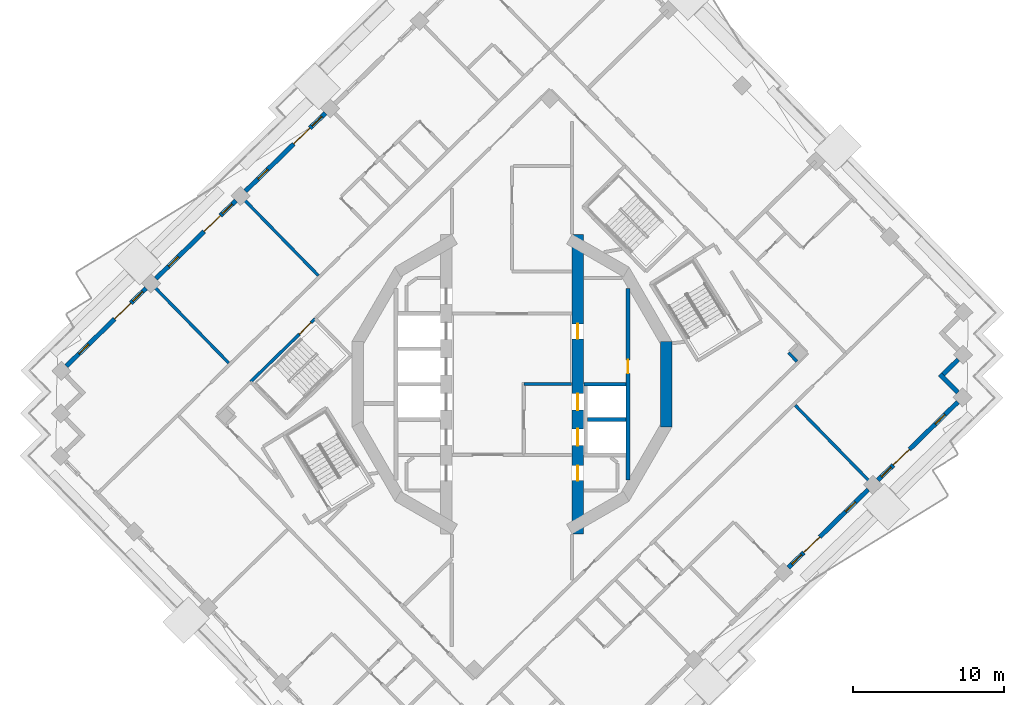
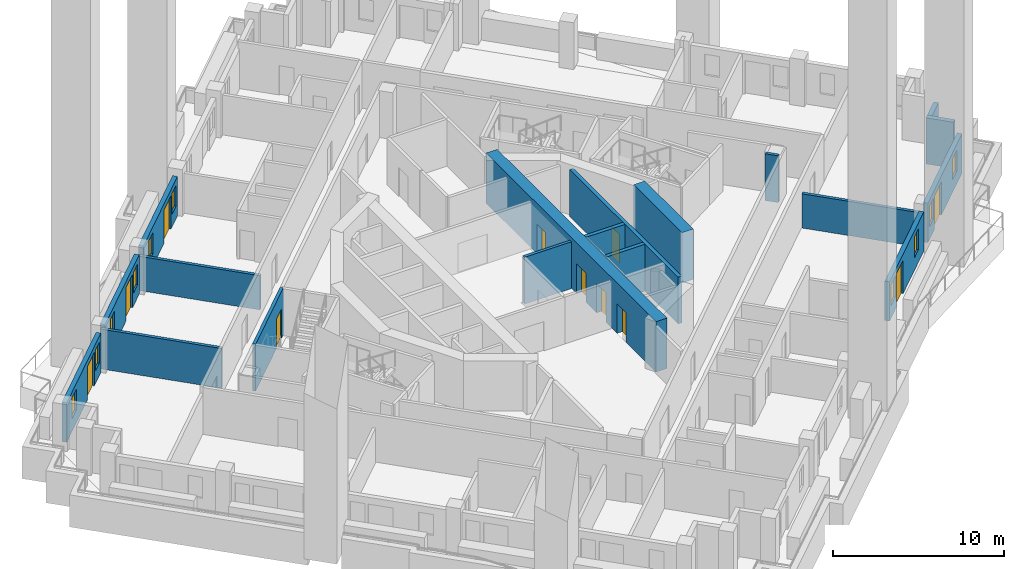
# One storey, part 6 of 17: 18 walls, 11 doors, 10 windows, 21 openings.
"""IFC4 building model written with IfcOpenShell, lengths in metres."""

from ifc_helpers import new_model, si_unit, direction, frame, frame_2d, origin, place, context, subcontext, project, spatial, rectangle, extrude, material, layer, layer_set, type_object, element, fill, save


model = new_model("IFC4")

# Units and contexts
model_context = context("Model", 3, precision=1e-05, world=origin(), true_north=direction((0.0, 1.0)))
body_context = subcontext(model_context, "Body", "Model", "MODEL_VIEW")
ifc_project = project(units=[si_unit("LENGTHUNIT", "METRE"), si_unit("AREAUNIT", "SQUARE_METRE"), si_unit("VOLUMEUNIT", "CUBIC_METRE"), si_unit("PLANEANGLEUNIT", "RADIAN"), si_unit("MASSUNIT", "GRAM", prefix="KILO")], contexts=[model_context])

# Site, building, storey
site_placement = place(None, origin())
site = spatial("IfcSite", under=ifc_project, at=site_placement, CompositionType="ELEMENT")
building_placement = place(site_placement, origin())
building = spatial("IfcBuilding", under=site, at=building_placement, Name="Cantera Rosa Tower", CompositionType="ELEMENT")
storey_placement = place(building_placement, frame((0.0, 0.0, 205.39990234375)))
storey = spatial("IfcBuildingStorey", under=building, at=storey_placement, Name="L43", CompositionType="ELEMENT", Elevation=205.39990234375)

# Walls
ifc_material_1 = material(Name="Hollow clay masonry with cantera stone cladding", Category="masonry")
ifc_layer_1 = layer(ifc_material_1, 0.300048828125)
ifc_layer_set_1 = layer_set([ifc_layer_1], Name="EW-LOGGIA 300")
wall_type_1 = type_object("IfcWallType", Name="EW-LOGGIA 300", PredefinedType="SOLIDWALL", material=ifc_layer_set_1)
wall_1_placement = place(storey_placement, frame((29.623291015625, -0.556884765625, 0.0), z_axis=(0.0, 0.0, 1.0), x_axis=(-0.69880105094, 0.715316077832, 0.0)))
element("IfcWall", 1, at=wall_1_placement, inside=storey, type_object=wall_type_1, Name="EN-L43-W26a", PredefinedType="SOLIDWALL", context=body_context, shape_type="SweptSolid", body=[
    extrude(rectangle(XDim=1.699951171875, YDim=0.300048828125, at=frame_2d((0.85009765625, 0.0))), origin(), (0.0, 0.0, 1.0), 3.300048828125),
])
wall_2_placement = place(storey_placement, frame((28.6474609375, 0.65673828125, 0.0), z_axis=(0.0, 0.0, 1.0), x_axis=(0.715341715727, 0.698774806172, 0.0)))
element("IfcWall", 2, at=wall_2_placement, inside=storey, type_object=wall_type_1, Name="EN-L43-W26b", PredefinedType="SOLIDWALL", context=body_context, shape_type="SweptSolid", body=[
    extrude(rectangle(XDim=1.39990234375, YDim=0.300048828125, at=frame_2d((0.699951171875, 0.0))), origin(), (0.0, 0.0, 1.0), 3.300048828125),
])

# Wall, openings, windows, door
ifc_material_2 = material(Name="Hollow clay masonry with cantera stone cladding", Category="masonry")
ifc_layer_2 = layer(ifc_material_2, 0.300048828125)
ifc_layer_set_2 = layer_set([ifc_layer_2], Name="EW-LOGGIA 300 H2820")
wall_type_2 = type_object("IfcWallType", Name="EW-LOGGIA 300 H2820", PredefinedType="SOLIDWALL", material=ifc_layer_set_2)
wall_3_placement = place(storey_placement, frame((-12.406005859375, 18.007080078125, 0.0), z_axis=(0.0, 0.0, 1.0), x_axis=(-0.715300826176, -0.698816662703, 0.0)))
wall_3 = element("IfcWall", 3, at=wall_3_placement, inside=storey, type_object=wall_type_2, Name="EN-L43-W09", PredefinedType="SOLIDWALL", context=body_context, shape_type="SweptSolid", body=[
    extrude(rectangle(XDim=7.420166015625, YDim=0.300048828125, at=frame_2d((3.7099609375, 0.0))), origin(), (0.0, 0.0, 1.0), 2.820068359375),
])
opening_1_placement = place(wall_3_placement, frame((0.330078125, 0.0, 0.89990234375)))
opening_1 = element("IfcOpeningElement", 4, at=opening_1_placement, cuts=wall_3, Name="Opening L43-W13", PredefinedType="OPENING", context=body_context, shape_type="SweptSolid", body=[
    extrude(rectangle(XDim=0.89990234375, YDim=1.5, at=frame_2d((0.449951171875, 0.75))), frame((0.0, 0.159912109375, 0.0), z_axis=(0.0, -1.0, 0.0), x_axis=(1.0, 0.0, 0.0)), (0.0, 0.0, 1.0), 0.320068359375),
])
opening_2_placement = place(wall_3_placement, frame((1.429931640625, 0.0, 0.0)))
opening_2 = element("IfcOpeningElement", 5, at=opening_2_placement, cuts=wall_3, Name="Opening L43-TD14", PredefinedType="OPENING", context=body_context, shape_type="SweptSolid", body=[
    extrude(rectangle(XDim=1.5, YDim=2.39990234375, at=frame_2d((0.75, 1.199951171875))), frame((0.0, 0.159912109375, 0.0), z_axis=(0.0, -1.0, 0.0), x_axis=(1.0, 0.0, 0.0)), (0.0, 0.0, 1.0), 0.320068359375),
])
opening_3_placement = place(wall_3_placement, frame((5.340087890625, 0.0, 0.89990234375)))
opening_3 = element("IfcOpeningElement", 6, at=opening_3_placement, cuts=wall_3, Name="Opening L43-W15", PredefinedType="OPENING", context=body_context, shape_type="SweptSolid", body=[
    extrude(rectangle(XDim=0.89990234375, YDim=1.5, at=frame_2d((0.449951171875, 0.75))), frame((0.0, 0.159912109375, 0.0), z_axis=(0.0, -1.0, 0.0), x_axis=(1.0, 0.0, 0.0)), (0.0, 0.0, 1.0), 0.320068359375),
])
ifc_material_3 = material(Name="Aluminium frame with clear glass", Category="aluminium")
window_type = type_object("IfcWindowType", Name="Residential window 900x1500", PartitioningType="SINGLE_PANEL", PredefinedType="WINDOW", material=ifc_material_3)
window_1_placement = place(opening_1_placement, origin())
window_1 = element("IfcWindow", 7, at=window_1_placement, inside=storey, type_object=window_type, Name="WINDOW L43-W13", OverallHeight=1.5, OverallWidth=0.89990234375, PartitioningType="SINGLE_PANEL", PredefinedType="WINDOW", context=body_context, shape_type="SweptSolid", body=[
    extrude(rectangle(XDim=0.89990234375, YDim=1.5, at=frame_2d((0.449951171875, 0.75))), frame((0.0, 0.030029296875, 0.0), z_axis=(0.0, -1.0, 0.0), x_axis=(1.0, 0.0, 0.0)), (0.0, 0.0, 1.0), 0.06005859375),
])
fill(opening_1, window_1)
window_2_placement = place(opening_3_placement, origin())
window_2 = element("IfcWindow", 8, at=window_2_placement, inside=storey, type_object=window_type, Name="WINDOW L43-W15", OverallHeight=1.5, OverallWidth=0.89990234375, PartitioningType="SINGLE_PANEL", PredefinedType="WINDOW", context=body_context, shape_type="SweptSolid", body=[
    extrude(rectangle(XDim=0.89990234375, YDim=1.5, at=frame_2d((0.449951171875, 0.75))), frame((0.0, 0.030029296875, 0.0), z_axis=(0.0, -1.0, 0.0), x_axis=(1.0, 0.0, 0.0)), (0.0, 0.0, 1.0), 0.06005859375),
])
fill(opening_3, window_2)
ifc_material_4 = material(Name="Aluminium frame with clear glass", Category="aluminium")
door_type_1 = type_object("IfcDoorType", Name="TD-R 1500x2400", OperationType="NOTDEFINED", PredefinedType="DOOR", material=ifc_material_4)
door_1_placement = place(opening_2_placement, origin())
door_1 = element("IfcDoor", 9, at=door_1_placement, inside=storey, type_object=door_type_1, Name="LOGGIA DOOR L43-TD14", OperationType="SLIDING_TO_LEFT", OverallHeight=2.39990234375, OverallWidth=1.5, PredefinedType="DOOR", context=body_context, shape_type="SweptSolid", body=[
    extrude(rectangle(XDim=1.5, YDim=2.39990234375, at=frame_2d((0.75, 1.199951171875))), frame((0.0, 0.02490234375, 0.0), z_axis=(0.0, -1.0, 0.0), x_axis=(1.0, 0.0, 0.0)), (0.0, 0.0, 1.0), 0.050048828125),
])
fill(opening_2, door_1)

wall_4_placement = place(storey_placement, frame((-18.357177734375, 12.19287109375, 0.0), z_axis=(0.0, 0.0, 1.0), x_axis=(-0.715300826176, -0.698816662703, 0.0)))
wall_4 = element("IfcWall", 10, at=wall_4_placement, inside=storey, type_object=wall_type_2, Name="EN-L43-W10", PredefinedType="SOLIDWALL", context=body_context, shape_type="SweptSolid", body=[
    extrude(rectangle(XDim=7.420166015625, YDim=0.300048828125, at=frame_2d((3.7099609375, 0.0))), origin(), (0.0, 0.0, 1.0), 2.820068359375),
])
opening_4_placement = place(wall_4_placement, frame((0.330078125, 0.0, 0.89990234375)))
opening_4 = element("IfcOpeningElement", 11, at=opening_4_placement, cuts=wall_4, Name="Opening L43-W16", PredefinedType="OPENING", context=body_context, shape_type="SweptSolid", body=[
    extrude(rectangle(XDim=0.89990234375, YDim=1.5, at=frame_2d((0.449951171875, 0.75))), frame((0.0, 0.159912109375, 0.0), z_axis=(0.0, -1.0, 0.0), x_axis=(1.0, 0.0, 0.0)), (0.0, 0.0, 1.0), 0.320068359375),
])
opening_5_placement = place(wall_4_placement, frame((1.429931640625, 0.0, 0.0)))
opening_5 = element("IfcOpeningElement", 12, at=opening_5_placement, cuts=wall_4, Name="Opening L43-TD17", PredefinedType="OPENING", context=body_context, shape_type="SweptSolid", body=[
    extrude(rectangle(XDim=1.5, YDim=2.39990234375, at=frame_2d((0.75, 1.199951171875))), frame((0.0, 0.159912109375, 0.0), z_axis=(0.0, -1.0, 0.0), x_axis=(1.0, 0.0, 0.0)), (0.0, 0.0, 1.0), 0.320068359375),
])
opening_6_placement = place(wall_4_placement, frame((5.340087890625, 0.0, 0.89990234375)))
opening_6 = element("IfcOpeningElement", 13, at=opening_6_placement, cuts=wall_4, Name="Opening L43-W18", PredefinedType="OPENING", context=body_context, shape_type="SweptSolid", body=[
    extrude(rectangle(XDim=0.89990234375, YDim=1.5, at=frame_2d((0.449951171875, 0.75))), frame((0.0, 0.159912109375, 0.0), z_axis=(0.0, -1.0, 0.0), x_axis=(1.0, 0.0, 0.0)), (0.0, 0.0, 1.0), 0.320068359375),
])
window_3_placement = place(opening_4_placement, origin())
window_3 = element("IfcWindow", 14, at=window_3_placement, inside=storey, type_object=window_type, Name="WINDOW L43-W16", OverallHeight=1.5, OverallWidth=0.89990234375, PartitioningType="SINGLE_PANEL", PredefinedType="WINDOW", context=body_context, shape_type="SweptSolid", body=[
    extrude(rectangle(XDim=0.89990234375, YDim=1.5, at=frame_2d((0.449951171875, 0.75))), frame((0.0, 0.030029296875, 0.0), z_axis=(0.0, -1.0, 0.0), x_axis=(1.0, 0.0, 0.0)), (0.0, 0.0, 1.0), 0.06005859375),
])
fill(opening_4, window_3)
window_4_placement = place(opening_6_placement, origin())
window_4 = element("IfcWindow", 15, at=window_4_placement, inside=storey, type_object=window_type, Name="WINDOW L43-W18", OverallHeight=1.5, OverallWidth=0.89990234375, PartitioningType="SINGLE_PANEL", PredefinedType="WINDOW", context=body_context, shape_type="SweptSolid", body=[
    extrude(rectangle(XDim=0.89990234375, YDim=1.5, at=frame_2d((0.449951171875, 0.75))), frame((0.0, 0.030029296875, 0.0), z_axis=(0.0, -1.0, 0.0), x_axis=(1.0, 0.0, 0.0)), (0.0, 0.0, 1.0), 0.06005859375),
])
fill(opening_6, window_4)
door_2_placement = place(opening_5_placement, origin())
door_2 = element("IfcDoor", 16, at=door_2_placement, inside=storey, type_object=door_type_1, Name="LOGGIA DOOR L43-TD17", OperationType="SLIDING_TO_LEFT", OverallHeight=2.39990234375, OverallWidth=1.5, PredefinedType="DOOR", context=body_context, shape_type="SweptSolid", body=[
    extrude(rectangle(XDim=1.5, YDim=2.39990234375, at=frame_2d((0.75, 1.199951171875))), frame((0.0, 0.02490234375, 0.0), z_axis=(0.0, -1.0, 0.0), x_axis=(1.0, 0.0, 0.0)), (0.0, 0.0, 1.0), 0.050048828125),
])
fill(opening_5, door_2)

wall_5_placement = place(storey_placement, frame((-24.308349609375, 6.37841796875, 0.0), z_axis=(0.0, 0.0, 1.0), x_axis=(-0.715300826176, -0.698816662703, 0.0)))
wall_5 = element("IfcWall", 17, at=wall_5_placement, inside=storey, type_object=wall_type_2, Name="EN-L43-W11", PredefinedType="SOLIDWALL", context=body_context, shape_type="SweptSolid", body=[
    extrude(rectangle(XDim=7.420166015625, YDim=0.300048828125, at=frame_2d((3.7099609375, 0.0))), origin(), (0.0, 0.0, 1.0), 2.820068359375),
])
opening_7_placement = place(wall_5_placement, frame((0.330078125, 0.0, 0.89990234375)))
opening_7 = element("IfcOpeningElement", 18, at=opening_7_placement, cuts=wall_5, Name="Opening L43-W19", PredefinedType="OPENING", context=body_context, shape_type="SweptSolid", body=[
    extrude(rectangle(XDim=0.89990234375, YDim=1.5, at=frame_2d((0.449951171875, 0.75))), frame((0.0, 0.159912109375, 0.0), z_axis=(0.0, -1.0, 0.0), x_axis=(1.0, 0.0, 0.0)), (0.0, 0.0, 1.0), 0.320068359375),
])
opening_8_placement = place(wall_5_placement, frame((1.429931640625, 0.0, 0.0)))
opening_8 = element("IfcOpeningElement", 19, at=opening_8_placement, cuts=wall_5, Name="Opening L43-TD20", PredefinedType="OPENING", context=body_context, shape_type="SweptSolid", body=[
    extrude(rectangle(XDim=1.5, YDim=2.39990234375, at=frame_2d((0.75, 1.199951171875))), frame((0.0, 0.159912109375, 0.0), z_axis=(0.0, -1.0, 0.0), x_axis=(1.0, 0.0, 0.0)), (0.0, 0.0, 1.0), 0.320068359375),
])
opening_9_placement = place(wall_5_placement, frame((5.340087890625, 0.0, 0.89990234375)))
opening_9 = element("IfcOpeningElement", 20, at=opening_9_placement, cuts=wall_5, Name="Opening L43-W21", PredefinedType="OPENING", context=body_context, shape_type="SweptSolid", body=[
    extrude(rectangle(XDim=0.89990234375, YDim=1.5, at=frame_2d((0.449951171875, 0.75))), frame((0.0, 0.159912109375, 0.0), z_axis=(0.0, -1.0, 0.0), x_axis=(1.0, 0.0, 0.0)), (0.0, 0.0, 1.0), 0.320068359375),
])
window_5_placement = place(opening_7_placement, origin())
window_5 = element("IfcWindow", 21, at=window_5_placement, inside=storey, type_object=window_type, Name="WINDOW L43-W19", OverallHeight=1.5, OverallWidth=0.89990234375, PartitioningType="SINGLE_PANEL", PredefinedType="WINDOW", context=body_context, shape_type="SweptSolid", body=[
    extrude(rectangle(XDim=0.89990234375, YDim=1.5, at=frame_2d((0.449951171875, 0.75))), frame((0.0, 0.030029296875, 0.0), z_axis=(0.0, -1.0, 0.0), x_axis=(1.0, 0.0, 0.0)), (0.0, 0.0, 1.0), 0.06005859375),
])
fill(opening_7, window_5)
window_6_placement = place(opening_9_placement, origin())
window_6 = element("IfcWindow", 22, at=window_6_placement, inside=storey, type_object=window_type, Name="WINDOW L43-W21", OverallHeight=1.5, OverallWidth=0.89990234375, PartitioningType="SINGLE_PANEL", PredefinedType="WINDOW", context=body_context, shape_type="SweptSolid", body=[
    extrude(rectangle(XDim=0.89990234375, YDim=1.5, at=frame_2d((0.449951171875, 0.75))), frame((0.0, 0.030029296875, 0.0), z_axis=(0.0, -1.0, 0.0), x_axis=(1.0, 0.0, 0.0)), (0.0, 0.0, 1.0), 0.06005859375),
])
fill(opening_9, window_6)
door_3_placement = place(opening_8_placement, origin())
door_3 = element("IfcDoor", 23, at=door_3_placement, inside=storey, type_object=door_type_1, Name="LOGGIA DOOR L43-TD20", OperationType="SLIDING_TO_LEFT", OverallHeight=2.39990234375, OverallWidth=1.5, PredefinedType="DOOR", context=body_context, shape_type="SweptSolid", body=[
    extrude(rectangle(XDim=1.5, YDim=2.39990234375, at=frame_2d((0.75, 1.199951171875))), frame((0.0, 0.02490234375, 0.0), z_axis=(0.0, -1.0, 0.0), x_axis=(1.0, 0.0, 0.0)), (0.0, 0.0, 1.0), 0.050048828125),
])
fill(opening_8, door_3)

wall_6_placement = place(storey_placement, frame((18.357177734375, -12.19287109375, 0.0), z_axis=(0.0, 0.0, 1.0), x_axis=(0.715300826176, 0.698816662703, 0.0)))
wall_6 = element("IfcWall", 24, at=wall_6_placement, inside=storey, type_object=wall_type_2, Name="EN-L43-W24", PredefinedType="SOLIDWALL", context=body_context, shape_type="SweptSolid", body=[
    extrude(rectangle(XDim=7.420166015625, YDim=0.300048828125, at=frame_2d((3.7099609375, 0.0))), origin(), (0.0, 0.0, 1.0), 2.820068359375),
])
opening_10_placement = place(wall_6_placement, frame((0.330078125, 0.0, 0.89990234375)))
opening_10 = element("IfcOpeningElement", 25, at=opening_10_placement, cuts=wall_6, Name="Opening L43-W46", PredefinedType="OPENING", context=body_context, shape_type="SweptSolid", body=[
    extrude(rectangle(XDim=0.89990234375, YDim=1.5, at=frame_2d((0.449951171875, 0.75))), frame((0.0, 0.159912109375, 0.0), z_axis=(0.0, -1.0, 0.0), x_axis=(1.0, 0.0, 0.0)), (0.0, 0.0, 1.0), 0.320068359375),
])
opening_11_placement = place(wall_6_placement, frame((1.429931640625, 0.0, 0.0)))
opening_11 = element("IfcOpeningElement", 26, at=opening_11_placement, cuts=wall_6, Name="Opening L43-TD47", PredefinedType="OPENING", context=body_context, shape_type="SweptSolid", body=[
    extrude(rectangle(XDim=1.5, YDim=2.39990234375, at=frame_2d((0.75, 1.199951171875))), frame((0.0, 0.159912109375, 0.0), z_axis=(0.0, -1.0, 0.0), x_axis=(1.0, 0.0, 0.0)), (0.0, 0.0, 1.0), 0.320068359375),
])
opening_12_placement = place(wall_6_placement, frame((5.340087890625, 0.0, 0.89990234375)))
opening_12 = element("IfcOpeningElement", 27, at=opening_12_placement, cuts=wall_6, Name="Opening L43-W48", PredefinedType="OPENING", context=body_context, shape_type="SweptSolid", body=[
    extrude(rectangle(XDim=0.89990234375, YDim=1.5, at=frame_2d((0.449951171875, 0.75))), frame((0.0, 0.159912109375, 0.0), z_axis=(0.0, -1.0, 0.0), x_axis=(1.0, 0.0, 0.0)), (0.0, 0.0, 1.0), 0.320068359375),
])
window_7_placement = place(opening_10_placement, origin())
window_7 = element("IfcWindow", 28, at=window_7_placement, inside=storey, type_object=window_type, Name="WINDOW L43-W46", OverallHeight=1.5, OverallWidth=0.89990234375, PartitioningType="SINGLE_PANEL", PredefinedType="WINDOW", context=body_context, shape_type="SweptSolid", body=[
    extrude(rectangle(XDim=0.89990234375, YDim=1.5, at=frame_2d((0.449951171875, 0.75))), frame((0.0, 0.030029296875, 0.0), z_axis=(0.0, -1.0, 0.0), x_axis=(1.0, 0.0, 0.0)), (0.0, 0.0, 1.0), 0.06005859375),
])
fill(opening_10, window_7)
window_8_placement = place(opening_12_placement, origin())
window_8 = element("IfcWindow", 29, at=window_8_placement, inside=storey, type_object=window_type, Name="WINDOW L43-W48", OverallHeight=1.5, OverallWidth=0.89990234375, PartitioningType="SINGLE_PANEL", PredefinedType="WINDOW", context=body_context, shape_type="SweptSolid", body=[
    extrude(rectangle(XDim=0.89990234375, YDim=1.5, at=frame_2d((0.449951171875, 0.75))), frame((0.0, 0.030029296875, 0.0), z_axis=(0.0, -1.0, 0.0), x_axis=(1.0, 0.0, 0.0)), (0.0, 0.0, 1.0), 0.06005859375),
])
fill(opening_12, window_8)
door_4_placement = place(opening_11_placement, origin())
door_4 = element("IfcDoor", 30, at=door_4_placement, inside=storey, type_object=door_type_1, Name="LOGGIA DOOR L43-TD47", OperationType="SLIDING_TO_LEFT", OverallHeight=2.39990234375, OverallWidth=1.5, PredefinedType="DOOR", context=body_context, shape_type="SweptSolid", body=[
    extrude(rectangle(XDim=1.5, YDim=2.39990234375, at=frame_2d((0.75, 1.199951171875))), frame((0.0, 0.02490234375, 0.0), z_axis=(0.0, -1.0, 0.0), x_axis=(1.0, 0.0, 0.0)), (0.0, 0.0, 1.0), 0.050048828125),
])
fill(opening_11, door_4)

wall_7_placement = place(storey_placement, frame((24.308349609375, -6.37841796875, 0.0), z_axis=(0.0, 0.0, 1.0), x_axis=(0.715300826176, 0.698816662703, 0.0)))
wall_7 = element("IfcWall", 31, at=wall_7_placement, inside=storey, type_object=wall_type_2, Name="EN-L43-W25", PredefinedType="SOLIDWALL", context=body_context, shape_type="SweptSolid", body=[
    extrude(rectangle(XDim=7.420166015625, YDim=0.300048828125, at=frame_2d((3.7099609375, 0.0))), origin(), (0.0, 0.0, 1.0), 2.820068359375),
])
opening_13_placement = place(wall_7_placement, frame((0.330078125, 0.0, 0.89990234375)))
opening_13 = element("IfcOpeningElement", 32, at=opening_13_placement, cuts=wall_7, Name="Opening L43-W49", PredefinedType="OPENING", context=body_context, shape_type="SweptSolid", body=[
    extrude(rectangle(XDim=0.89990234375, YDim=1.5, at=frame_2d((0.449951171875, 0.75))), frame((0.0, 0.159912109375, 0.0), z_axis=(0.0, -1.0, 0.0), x_axis=(1.0, 0.0, 0.0)), (0.0, 0.0, 1.0), 0.320068359375),
])
opening_14_placement = place(wall_7_placement, frame((1.429931640625, 0.0, 0.0)))
opening_14 = element("IfcOpeningElement", 33, at=opening_14_placement, cuts=wall_7, Name="Opening L43-TD50", PredefinedType="OPENING", context=body_context, shape_type="SweptSolid", body=[
    extrude(rectangle(XDim=1.5, YDim=2.39990234375, at=frame_2d((0.75, 1.199951171875))), frame((0.0, 0.159912109375, 0.0), z_axis=(0.0, -1.0, 0.0), x_axis=(1.0, 0.0, 0.0)), (0.0, 0.0, 1.0), 0.320068359375),
])
opening_15_placement = place(wall_7_placement, frame((5.340087890625, 0.0, 0.89990234375)))
opening_15 = element("IfcOpeningElement", 34, at=opening_15_placement, cuts=wall_7, Name="Opening L43-W51", PredefinedType="OPENING", context=body_context, shape_type="SweptSolid", body=[
    extrude(rectangle(XDim=0.89990234375, YDim=1.5, at=frame_2d((0.449951171875, 0.75))), frame((0.0, 0.159912109375, 0.0), z_axis=(0.0, -1.0, 0.0), x_axis=(1.0, 0.0, 0.0)), (0.0, 0.0, 1.0), 0.320068359375),
])
window_9_placement = place(opening_13_placement, origin())
window_9 = element("IfcWindow", 35, at=window_9_placement, inside=storey, type_object=window_type, Name="WINDOW L43-W49", OverallHeight=1.5, OverallWidth=0.89990234375, PartitioningType="SINGLE_PANEL", PredefinedType="WINDOW", context=body_context, shape_type="SweptSolid", body=[
    extrude(rectangle(XDim=0.89990234375, YDim=1.5, at=frame_2d((0.449951171875, 0.75))), frame((0.0, 0.030029296875, 0.0), z_axis=(0.0, -1.0, 0.0), x_axis=(1.0, 0.0, 0.0)), (0.0, 0.0, 1.0), 0.06005859375),
])
fill(opening_13, window_9)
window_10_placement = place(opening_15_placement, origin())
window_10 = element("IfcWindow", 36, at=window_10_placement, inside=storey, type_object=window_type, Name="WINDOW L43-W51", OverallHeight=1.5, OverallWidth=0.89990234375, PartitioningType="SINGLE_PANEL", PredefinedType="WINDOW", context=body_context, shape_type="SweptSolid", body=[
    extrude(rectangle(XDim=0.89990234375, YDim=1.5, at=frame_2d((0.449951171875, 0.75))), frame((0.0, 0.030029296875, 0.0), z_axis=(0.0, -1.0, 0.0), x_axis=(1.0, 0.0, 0.0)), (0.0, 0.0, 1.0), 0.06005859375),
])
fill(opening_15, window_10)
door_5_placement = place(opening_14_placement, origin())
door_5 = element("IfcDoor", 37, at=door_5_placement, inside=storey, type_object=door_type_1, Name="LOGGIA DOOR L43-TD50", OperationType="SLIDING_TO_LEFT", OverallHeight=2.39990234375, OverallWidth=1.5, PredefinedType="DOOR", context=body_context, shape_type="SweptSolid", body=[
    extrude(rectangle(XDim=1.5, YDim=2.39990234375, at=frame_2d((0.75, 1.199951171875))), frame((0.0, 0.02490234375, 0.0), z_axis=(0.0, -1.0, 0.0), x_axis=(1.0, 0.0, 0.0)), (0.0, 0.0, 1.0), 0.050048828125),
])
fill(opening_14, door_5)

# Walls
ifc_material_5 = material(Name="Gypsum board partition")
ifc_layer_3 = layer(ifc_material_5, 0.199951171875)
ifc_layer_set_3 = layer_set([ifc_layer_3], Name="PARTITION 200 H2850")
wall_type_3 = type_object("IfcWallType", Name="PARTITION 200 H2850", PredefinedType="PARTITIONING", material=ifc_layer_set_3)
wall_8_placement = place(storey_placement, frame((-18.815185546875, 1.39990234375, 0.0), z_axis=(0.0, 0.0, 1.0), x_axis=(-0.698843600557, 0.715274508116, 0.0)))
element("IfcWall", 38, at=wall_8_placement, inside=storey, type_object=wall_type_3, Name="PARTITION L43-005", PredefinedType="PARTITIONING", context=body_context, shape_type="SweptSolid", body=[
    extrude(rectangle(XDim=7.369873046875, YDim=0.199951171875, at=frame_2d((3.68505859375, 0.0))), origin(), (0.0, 0.0, 1.0), 2.85009765625),
])
ifc_material_6 = material(Name="Gypsum board partition")
ifc_layer_4 = layer(ifc_material_6, 0.199951171875)
ifc_layer_set_4 = layer_set([ifc_layer_4], Name="PARTITION 200 H3350")
wall_type_4 = type_object("IfcWallType", Name="PARTITION 200 H3350", PredefinedType="PARTITIONING", material=ifc_layer_set_4)
wall_9_placement = place(storey_placement, frame((18.375, 2.08447265625, 0.0), z_axis=(0.0, 0.0, 1.0), x_axis=(0.698819420598, -0.715298131827, 0.0)))
element("IfcWall", 39, at=wall_9_placement, inside=storey, type_object=wall_type_4, Name="PARTITION L43-120", PredefinedType="PARTITIONING", context=body_context, shape_type="SweptSolid", body=[
    extrude(rectangle(XDim=0.800048828125, YDim=0.199951171875, at=frame_2d((0.39990234375, 0.0))), origin(), (0.0, 0.0, 1.0), 3.35009765625),
])
ifc_material_7 = material(Name="Gypsum board partition")
ifc_layer_5 = layer(ifc_material_7, 0.199951171875)
ifc_layer_set_5 = layer_set([ifc_layer_5], Name="PARTY WALL 200 H2450")
wall_type_5 = type_object("IfcWallType", Name="PARTY WALL 200 H2450", PredefinedType="PARTITIONING", material=ifc_layer_set_5)
wall_10_placement = place(storey_placement, frame((-12.864013671875, 7.214111328125, 0.0), z_axis=(0.0, 0.0, 1.0), x_axis=(-0.698827041819, 0.715290686101, 0.0)))
element("IfcWall", 40, at=wall_10_placement, inside=storey, type_object=wall_type_5, Name="PARTY WALL L43-021", PredefinedType="PARTITIONING", context=body_context, shape_type="SweptSolid", body=[
    extrude(rectangle(XDim=7.3701171875, YDim=0.199951171875, at=frame_2d((3.68505859375, 0.0))), origin(), (0.0, 0.0, 1.0), 2.4501953125),
])
wall_11_placement = place(storey_placement, frame((18.8291015625, -1.414306640625, 0.0), z_axis=(0.0, 0.0, 1.0), x_axis=(0.698854556514, -0.71526380367, 0.0)))
element("IfcWall", 41, at=wall_11_placement, inside=storey, type_object=wall_type_5, Name="PARTY WALL L43-121", PredefinedType="PARTITIONING", context=body_context, shape_type="SweptSolid", body=[
    extrude(rectangle(XDim=7.349853515625, YDim=0.199951171875, at=frame_2d((3.6748046875, 0.0))), origin(), (0.0, 0.0, 1.0), 2.4501953125),
])
ifc_material_8 = material(Name="Concrete C60/75", Category="concrete")
ifc_layer_6 = layer(ifc_material_8, 0.75)
ifc_layer_set_6 = layer_set([ifc_layer_6], Name="RC CORE WALL 750 C60/75")
wall_type_6 = type_object("IfcWallType", Name="RC CORE WALL 750 C60/75", PredefinedType="SHEAR", material=ifc_layer_set_6)
wall_12_placement = place(storey_placement, frame((10.250244140625, 2.846923828125, 0.0), z_axis=(0.0, 0.0, 1.0), x_axis=(0.0, -1.0, 0.0)))
element("IfcWall", 42, at=wall_12_placement, inside=storey, type_object=wall_type_6, Name="CW-E3 L43", PredefinedType="SHEAR", context=body_context, shape_type="SweptSolid", body=[
    extrude(rectangle(XDim=5.69384765625, YDim=0.75, at=frame_2d((2.846923828125, 0.0))), origin(), (0.0, 0.0, 1.0), 3.60009765625),
])

# Wall, openings, doors
wall_13_placement = place(storey_placement, frame((4.375, -9.95947265625, 0.0), z_axis=(0.0, 0.0, 1.0), x_axis=(0.0, 1.0, 0.0)))
wall_13 = element("IfcWall", 43, at=wall_13_placement, inside=storey, type_object=wall_type_6, Name="CW-E6 L43", PredefinedType="SHEAR", context=body_context, shape_type="SweptSolid", body=[
    extrude(rectangle(XDim=19.9189453125, YDim=0.75, at=frame_2d((9.95947265625, 0.0))), origin(), (0.0, 0.0, 1.0), 3.60009765625),
])
opening_16_placement = place(wall_13_placement, frame((5.884521484375, 0.0, 0.0)))
opening_16 = element("IfcOpeningElement", 44, at=opening_16_placement, cuts=wall_13, Name="Opening LD-FF1-L43", PredefinedType="OPENING", context=body_context, shape_type="SweptSolid", body=[
    extrude(rectangle(XDim=1.10009765625, YDim=2.10009765625, at=frame_2d((0.550048828125, 1.050048828125))), frame((0.0, 0.385009765625, 0.0), z_axis=(0.0, -1.0, 0.0), x_axis=(1.0, 0.0, 0.0)), (0.0, 0.0, 1.0), 0.77001953125),
])
opening_17_placement = place(wall_13_placement, frame((8.234619140625, 0.0, 0.0)))
opening_17 = element("IfcOpeningElement", 45, at=opening_17_placement, cuts=wall_13, Name="Opening LD-FF2-L43", PredefinedType="OPENING", context=body_context, shape_type="SweptSolid", body=[
    extrude(rectangle(XDim=1.10009765625, YDim=2.10009765625, at=frame_2d((0.550048828125, 1.050048828125))), frame((0.0, 0.385009765625, 0.0), z_axis=(0.0, -1.0, 0.0), x_axis=(1.0, 0.0, 0.0)), (0.0, 0.0, 1.0), 0.77001953125),
])
opening_18_placement = place(wall_13_placement, frame((3.55078125, 0.0, 0.0)))
opening_18 = element("IfcOpeningElement", 46, at=opening_18_placement, cuts=wall_13, Name="Opening SD-L43-21", PredefinedType="OPENING", context=body_context, shape_type="SweptSolid", body=[
    extrude(rectangle(XDim=1.0, YDim=2.10009765625, at=frame_2d((0.5, 1.050048828125))), frame((0.0, 0.385009765625, 0.0), z_axis=(0.0, -1.0, 0.0), x_axis=(1.0, 0.0, 0.0)), (0.0, 0.0, 1.0), 0.77001953125),
])
opening_19_placement = place(wall_13_placement, frame((12.9658203125, 0.0, 0.0)))
opening_19 = element("IfcOpeningElement", 47, at=opening_19_placement, cuts=wall_13, Name="Opening SD-L43-22", PredefinedType="OPENING", context=body_context, shape_type="SweptSolid", body=[
    extrude(rectangle(XDim=1.0, YDim=2.10009765625, at=frame_2d((0.5, 1.050048828125))), frame((0.0, 0.385009765625, 0.0), z_axis=(0.0, -1.0, 0.0), x_axis=(1.0, 0.0, 0.0)), (0.0, 0.0, 1.0), 0.77001953125),
])
ifc_material_9 = material(Name="Steel S355J2 (EN 10025-2)", Category="steel")
door_type_2 = type_object("IfcDoorType", Name="LANDING DOOR 1100x2100", OperationType="NOTDEFINED", PredefinedType="DOOR", material=ifc_material_9)
door_6_placement = place(opening_16_placement, origin())
door_6 = element("IfcDoor", 48, at=door_6_placement, inside=storey, type_object=door_type_2, Name="LANDING DOOR FF1 L43", OperationType="SLIDING_TO_LEFT", OverallHeight=2.10009765625, OverallWidth=1.10009765625, PredefinedType="DOOR", context=body_context, shape_type="SweptSolid", body=[
    extrude(rectangle(XDim=1.10009765625, YDim=2.10009765625, at=frame_2d((0.550048828125, 1.050048828125))), frame((0.0, 0.02490234375, 0.0), z_axis=(0.0, -1.0, 0.0), x_axis=(1.0, 0.0, 0.0)), (0.0, 0.0, 1.0), 0.050048828125),
])
fill(opening_16, door_6)
door_7_placement = place(opening_17_placement, origin())
door_7 = element("IfcDoor", 49, at=door_7_placement, inside=storey, type_object=door_type_2, Name="LANDING DOOR FF2 L43", OperationType="SLIDING_TO_LEFT", OverallHeight=2.10009765625, OverallWidth=1.10009765625, PredefinedType="DOOR", context=body_context, shape_type="SweptSolid", body=[
    extrude(rectangle(XDim=1.10009765625, YDim=2.10009765625, at=frame_2d((0.550048828125, 1.050048828125))), frame((0.0, 0.02490234375, 0.0), z_axis=(0.0, -1.0, 0.0), x_axis=(1.0, 0.0, 0.0)), (0.0, 0.0, 1.0), 0.050048828125),
])
fill(opening_17, door_7)
ifc_material_10 = material(Name="Timber door leaf", Category="wood")
door_type_3 = type_object("IfcDoorType", Name="SERVICE DOOR 1000x2100", OperationType="NOTDEFINED", PredefinedType="DOOR", material=ifc_material_10)
door_8_placement = place(opening_18_placement, origin())
door_8 = element("IfcDoor", 50, at=door_8_placement, inside=storey, type_object=door_type_3, Name="DOOR L43-SD21", OperationType="NOTDEFINED", OverallHeight=2.10009765625, OverallWidth=1.0, PredefinedType="DOOR", context=body_context, shape_type="SweptSolid", body=[
    extrude(rectangle(XDim=1.0, YDim=2.10009765625, at=frame_2d((0.5, 1.050048828125))), frame((0.0, 0.02490234375, 0.0), z_axis=(0.0, -1.0, 0.0), x_axis=(1.0, 0.0, 0.0)), (0.0, 0.0, 1.0), 0.050048828125),
])
fill(opening_18, door_8)
door_9_placement = place(opening_19_placement, origin())
door_9 = element("IfcDoor", 51, at=door_9_placement, inside=storey, type_object=door_type_3, Name="DOOR L43-SD22", OperationType="NOTDEFINED", OverallHeight=2.10009765625, OverallWidth=1.0, PredefinedType="DOOR", context=body_context, shape_type="SweptSolid", body=[
    extrude(rectangle(XDim=1.0, YDim=2.10009765625, at=frame_2d((0.5, 1.050048828125))), frame((0.0, 0.02490234375, 0.0), z_axis=(0.0, -1.0, 0.0), x_axis=(1.0, 0.0, 0.0)), (0.0, 0.0, 1.0), 0.050048828125),
])
fill(opening_19, door_9)

# Wall
ifc_material_11 = material(Name="Masonry blockwork", Category="masonry")
ifc_layer_7 = layer(ifc_material_11, 0.25)
ifc_layer_set_7 = layer_set([ifc_layer_7], Name="SHAFT WALL 250 H3350")
wall_type_7 = type_object("IfcWallType", Name="SHAFT WALL 250 H3350", PredefinedType="SOLIDWALL", material=ifc_layer_set_7)
wall_14_placement = place(storey_placement, frame((4.780029296875, 0.0, 0.0), z_axis=(0.0, 0.0, 1.0), x_axis=(1.0, 0.0, 0.0)))
element("IfcWall", 52, at=wall_14_placement, inside=storey, type_object=wall_type_7, Name="SHAFT WALL L43-083", PredefinedType="SOLIDWALL", context=body_context, shape_type="SweptSolid", body=[
    extrude(rectangle(XDim=2.794921875, YDim=0.25, at=frame_2d((1.3974609375, 0.0))), origin(), (0.0, 0.0, 1.0), 3.35009765625),
])

# Wall, opening, door
wall_15_placement = place(storey_placement, frame((7.699951171875, -6.353515625, 0.0), z_axis=(0.0, 0.0, 1.0), x_axis=(0.0, 1.0, 0.0)))
wall_15 = element("IfcWall", 53, at=wall_15_placement, inside=storey, type_object=wall_type_7, Name="SHAFT WALL L43-096", PredefinedType="SOLIDWALL", context=body_context, shape_type="SweptSolid", body=[
    extrude(rectangle(XDim=12.70703125, YDim=0.25, at=frame_2d((6.353515625, 0.0))), origin(), (0.0, 0.0, 1.0), 3.35009765625),
])
opening_20_placement = place(wall_15_placement, frame((7.063720703125, 0.0, 0.0)))
opening_20 = element("IfcOpeningElement", 54, at=opening_20_placement, cuts=wall_15, Name="Opening L43-059", PredefinedType="OPENING", context=body_context, shape_type="SweptSolid", body=[
    extrude(rectangle(XDim=0.89990234375, YDim=2.10009765625, at=frame_2d((0.449951171875, 1.050048828125))), frame((0.0, 0.135009765625, 0.0), z_axis=(0.0, -1.0, 0.0), x_axis=(1.0, 0.0, 0.0)), (0.0, 0.0, 1.0), 0.27001953125),
])
ifc_material_12 = material(Name="Timber door leaf", Category="wood")
door_type_4 = type_object("IfcDoorType", Name="SERVICE DOOR 900x2100", OperationType="NOTDEFINED", PredefinedType="DOOR", material=ifc_material_12)
door_10_placement = place(opening_20_placement, origin())
door_10 = element("IfcDoor", 55, at=door_10_placement, inside=storey, type_object=door_type_4, Name="RISER DOOR L43-059", OperationType="NOTDEFINED", OverallHeight=2.10009765625, OverallWidth=0.89990234375, PredefinedType="DOOR", context=body_context, shape_type="SweptSolid", body=[
    extrude(rectangle(XDim=0.89990234375, YDim=2.10009765625, at=frame_2d((0.449951171875, 1.050048828125))), frame((0.0, 0.02490234375, 0.0), z_axis=(0.0, -1.0, 0.0), x_axis=(1.0, 0.0, 0.0)), (0.0, 0.0, 1.0), 0.050048828125),
])
fill(opening_20, door_10)

# Wall
wall_16_placement = place(storey_placement, frame((7.574951171875, -2.35009765625, 0.0), z_axis=(0.0, 0.0, 1.0), x_axis=(-1.0, 0.0, 0.0)))
element("IfcWall", 56, at=wall_16_placement, inside=storey, type_object=wall_type_7, Name="SHAFT WALL L43-098", PredefinedType="SOLIDWALL", context=body_context, shape_type="SweptSolid", body=[
    extrude(rectangle(XDim=2.56005859375, YDim=0.25, at=frame_2d((1.280029296875, 0.0))), origin(), (0.0, 0.0, 1.0), 3.35009765625),
])

# Wall, opening, door
ifc_material_13 = material(Name="Concrete C50/60", Category="concrete")
ifc_layer_8 = layer(ifc_material_13, 0.199951171875)
ifc_layer_set_8 = layer_set([ifc_layer_8], Name="STAIR WALL 200 H3350")
wall_type_8 = type_object("IfcWallType", Name="STAIR WALL 200 H3350", PredefinedType="SOLIDWALL", material=ifc_layer_set_8)
wall_17_placement = place(storey_placement, frame((-13.077880859375, 4.34912109375, 0.0), z_axis=(0.0, 0.0, 1.0), x_axis=(-0.715278260946, -0.698839759471, 0.0)))
wall_17 = element("IfcWall", 57, at=wall_17_placement, inside=storey, type_object=wall_type_8, Name="STAIR WALL L43-017", PredefinedType="SOLIDWALL", context=body_context, shape_type="SweptSolid", body=[
    extrude(rectangle(XDim=6.0, YDim=0.199951171875, at=frame_2d((3.0, 0.0))), origin(), (0.0, 0.0, 1.0), 3.35009765625),
])
opening_21_placement = place(wall_17_placement, frame((0.375, 0.0, 0.0)))
opening_21 = element("IfcOpeningElement", 58, at=opening_21_placement, cuts=wall_17, Name="Opening L43-004", PredefinedType="OPENING", context=body_context, shape_type="SweptSolid", body=[
    extrude(rectangle(XDim=1.10009765625, YDim=2.10009765625, at=frame_2d((0.550048828125, 1.050048828125))), frame((0.0, 0.10986328125, 0.0), z_axis=(0.0, -1.0, 0.0), x_axis=(1.0, 0.0, 0.0)), (0.0, 0.0, 1.0), 0.219970703125),
])
ifc_material_14 = material(Name="Steel S355J2 (EN 10025-2)", Category="steel")
door_type_5 = type_object("IfcDoorType", Name="STAIR DOOR 1100x2100", OperationType="NOTDEFINED", PredefinedType="DOOR", material=ifc_material_14)
door_11_placement = place(opening_21_placement, origin())
door_11 = element("IfcDoor", 59, at=door_11_placement, inside=storey, type_object=door_type_5, Name="DOOR L43-004", OperationType="NOTDEFINED", OverallHeight=2.10009765625, OverallWidth=1.10009765625, PredefinedType="DOOR", context=body_context, shape_type="SweptSolid", body=[
    extrude(rectangle(XDim=1.10009765625, YDim=2.10009765625, at=frame_2d((0.550048828125, 1.050048828125))), frame((0.0, 0.02490234375, 0.0), z_axis=(0.0, -1.0, 0.0), x_axis=(1.0, 0.0, 0.0)), (0.0, 0.0, 1.0), 0.050048828125),
])
fill(opening_21, door_11)

# Wall
wall_18_placement = place(storey_placement, frame((0.800048828125, 0.0, 0.0), z_axis=(0.0, 0.0, 1.0), x_axis=(1.0, 0.0, 0.0)))
element("IfcWall", 60, at=wall_18_placement, inside=storey, type_object=wall_type_8, Name="STAIR WALL L43-070", PredefinedType="SOLIDWALL", context=body_context, shape_type="SweptSolid", body=[
    extrude(rectangle(XDim=3.169921875, YDim=0.199951171875, at=frame_2d((1.5849609375, 0.0))), origin(), (0.0, 0.0, 1.0), 3.35009765625),
])

save(model, "model.ifc")
